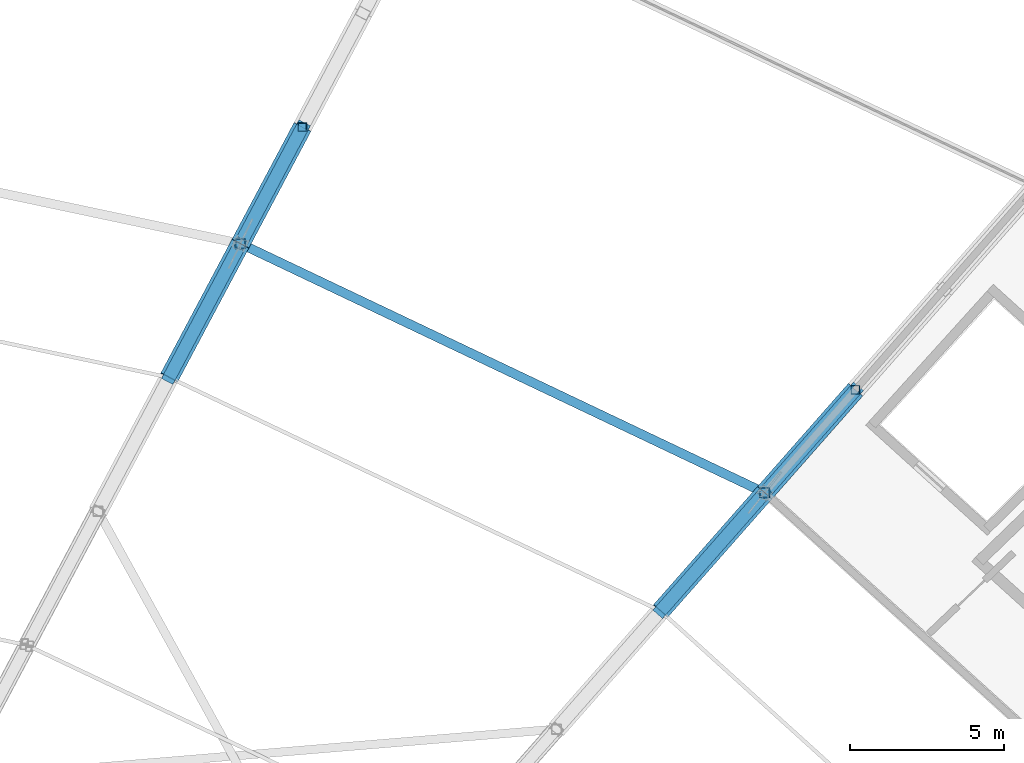
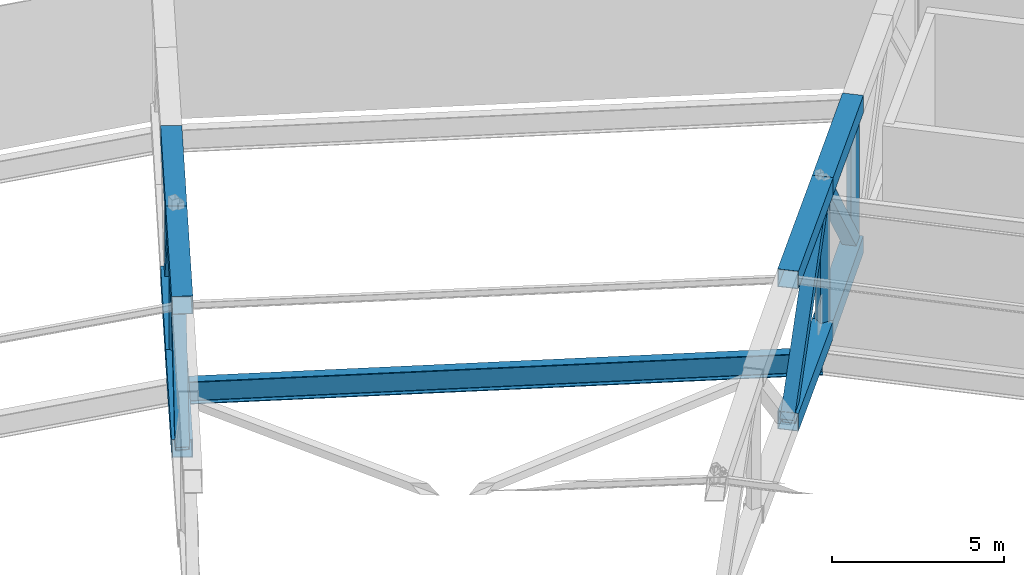
# One storey, part 87 of 162: 16 members, 1 beam.
"""IFC4 building model written with IfcOpenShell, lengths in metres."""

from ifc_helpers import new_model, si_unit, direction, frame, origin, origin_2d, place, context, subcontext, project, spatial, hollow_rectangle, i_section, extrude, material, material_profile, profile_set, type_object, element, save


model = new_model("IFC4")

# Units and contexts
model_context = context("Model", 3, precision=1e-05, world=origin(), true_north=direction((0.0, 1.0)))
body_context = subcontext(model_context, "Body", "Model", "MODEL_VIEW")
ifc_project = project(units=[si_unit("LENGTHUNIT", "METRE"), si_unit("AREAUNIT", "SQUARE_METRE"), si_unit("VOLUMEUNIT", "CUBIC_METRE"), si_unit("PLANEANGLEUNIT", "RADIAN"), si_unit("MASSUNIT", "GRAM", prefix="KILO")], contexts=[model_context])

# Site, building, storey
site_placement = place(None, origin())
site = spatial("IfcSite", under=ifc_project, at=site_placement, CompositionType="ELEMENT")
building_placement = place(site_placement, origin())
building = spatial("IfcBuilding", under=site, at=building_placement, Name="Kazemori Nagisa Stadium", CompositionType="ELEMENT")
storey_placement = place(building_placement, frame((0.0, 0.0, 36.719970703125)))
storey = spatial("IfcBuildingStorey", under=building, at=storey_placement, Name="RF", CompositionType="ELEMENT", Elevation=36.719970703125)

# Beam
ifc_material_1 = material(Name="Steel SN490B", Category="steel")
ifc_material_profile_1 = material_profile(ifc_material_1, i_section(OverallWidth=0.300048828125, OverallDepth=0.800048828125, WebThickness=0.013916015625, FlangeThickness=0.02587890625, FilletRadius=0.01806640625, at=origin_2d()), Name="H-800x300x14x26")
ifc_profile_set_1 = profile_set([ifc_material_profile_1], Name="Steel SN490B")
beam_type = type_object("IfcBeamType", Name="Beam_BG-H800", PredefinedType="BEAM", material=ifc_profile_set_1)
beam_placement = place(storey_placement, frame((176.834228515625, 163.11083984375, -0.679931640625), z_axis=(-0.90321938295, 0.42917915404, 0.0), x_axis=(-0.42917915404, -0.90321938295, 0.0)))
element("IfcBeam", 1, at=beam_placement, inside=storey, type_object=beam_type, Name="Ring girder BG-H800 RF R2-05", PredefinedType="BEAM", context=body_context, shape_type="SweptSolid", body=[
    extrude(i_section(OverallWidth=0.300048828125, OverallDepth=0.800048828125, WebThickness=0.013916015625, FlangeThickness=0.02587890625, FilletRadius=0.01806640625, at=origin_2d()), origin(), (0.0, 0.0, 1.0), 18.84619140625),
])

# Members
ifc_material_2 = material(Name="Steel STKR490", Category="steel")
ifc_material_profile_2 = material_profile(ifc_material_2, hollow_rectangle(XDim=0.419921875, YDim=0.419921875, WallThickness=0.01611328125, at=origin_2d()), Name="SHS-420x420x16")
ifc_profile_set_2 = profile_set([ifc_material_profile_2], Name="Steel STKR490")
member_type_1 = type_object("IfcMemberType", Name="Member_TB-SHS420", PredefinedType="BRACE", material=ifc_profile_set_2)
member_1_placement = place(storey_placement, frame((179.7763671875, 166.450439453125, 0.43994140625), z_axis=(-0.43367823745, -0.492264924909, 0.754717450485), x_axis=(0.750346686278, -0.661044514682, 0.0)))
element("IfcMember", 2, at=member_1_placement, inside=storey, type_object=member_type_1, Name="Roof space truss diagonal RT-05-3", PredefinedType="BRACE", context=body_context, shape_type="SweptSolid", body=[
    extrude(hollow_rectangle(XDim=0.419921875, YDim=0.419921875, WallThickness=0.01611328125, at=origin_2d()), origin(), (0.0, 0.0, 1.0), 6.7841796875),
])
member_2_placement = place(storey_placement, frame((176.834228515625, 163.11083984375, 5.56005859375), z_axis=(-0.479053182072, -0.54382189194, -0.689032509097), x_axis=(0.750378163683, -0.661008783201, 0.0)))
element("IfcMember", 3, at=member_2_placement, inside=storey, type_object=member_type_1, Name="Roof space truss diagonal RT-05-4", PredefinedType="BRACE", context=body_context, shape_type="SweptSolid", body=[
    extrude(hollow_rectangle(XDim=0.419921875, YDim=0.419921875, WallThickness=0.01611328125, at=origin_2d()), origin(), (0.0, 0.0, 1.0), 7.056396484375),
])
member_3_placement = place(storey_placement, frame((161.823974609375, 174.98095703125, 0.43994140625), z_axis=(-0.301385485298, -0.566492072233, 0.766976871457), x_axis=(0.882833673063, -0.469685752079, 0.0)))
element("IfcMember", 4, at=member_3_placement, inside=storey, type_object=member_type_1, Name="Roof space truss diagonal RT-06-3", PredefinedType="BRACE", context=body_context, shape_type="SweptSolid", body=[
    extrude(hollow_rectangle(XDim=0.419921875, YDim=0.419921875, WallThickness=0.01611328125, at=origin_2d()), origin(), (0.0, 0.0, 1.0), 6.67578125),
])
member_4_placement = place(storey_placement, frame((159.81201171875, 171.19921875, 5.56005859375), z_axis=(-0.334768872513, -0.629265063806, -0.701395239126), x_axis=(0.88284131776, -0.469671382624, 0.0)))
element("IfcMember", 5, at=member_4_placement, inside=storey, type_object=member_type_1, Name="Roof space truss diagonal RT-06-4", PredefinedType="BRACE", context=body_context, shape_type="SweptSolid", body=[
    extrude(hollow_rectangle(XDim=0.419921875, YDim=0.419921875, WallThickness=0.01611328125, at=origin_2d()), origin(), (0.0, 0.0, 1.0), 6.90478515625),
])
ifc_material_profile_3 = material_profile(ifc_material_2, hollow_rectangle(XDim=0.6201171875, YDim=0.6201171875, WallThickness=0.02197265625, at=origin_2d()), Name="SHS-620x620x22")
ifc_profile_set_3 = profile_set([ifc_material_profile_3], Name="Steel STKR490")
member_type_2 = type_object("IfcMemberType", Name="Member_TC-SHS620", PredefinedType="CHORD", material=ifc_profile_set_3)
member_5_placement = place(storey_placement, frame((179.7763671875, 166.450439453125, 5.419921875), z_axis=(-0.660717085813, -0.749975024217, 0.031470550764), x_axis=(0.750346686278, -0.661044514682, 0.0)))
element("IfcMember", 6, at=member_5_placement, inside=storey, type_object=member_type_2, Name="Roof space truss top chord RT-05-3", PredefinedType="CHORD", context=body_context, shape_type="SweptSolid", body=[
    extrude(hollow_rectangle(XDim=0.6201171875, YDim=0.6201171875, WallThickness=0.02197265625, at=origin_2d()), origin(), (0.0, 0.0, 1.0), 4.452880859375),
])
member_6_placement = place(storey_placement, frame((179.7763671875, 166.450439453125, 0.43994140625), z_axis=(-0.661017767546, -0.750316325804, 0.008995677859), x_axis=(0.750346686278, -0.661044514682, 0.0)))
element("IfcMember", 7, at=member_6_placement, inside=storey, type_object=member_type_2, Name="Roof space truss bottom chord RT-05-3", PredefinedType="CHORD", context=body_context, shape_type="SweptSolid", body=[
    extrude(hollow_rectangle(XDim=0.6201171875, YDim=0.6201171875, WallThickness=0.02197265625, at=origin_2d()), origin(), (0.0, 0.0, 1.0), 4.450927734375),
])
member_7_placement = place(storey_placement, frame((176.834228515625, 163.11083984375, 5.56005859375), z_axis=(-0.660586610197, -0.749898912255, 0.035734462736), x_axis=(0.750378163683, -0.661008783201, 0.0)))
element("IfcMember", 8, at=member_7_placement, inside=storey, type_object=member_type_2, Name="Roof space truss top chord RT-05-4", PredefinedType="CHORD", context=body_context, shape_type="SweptSolid", body=[
    extrude(hollow_rectangle(XDim=0.6201171875, YDim=0.6201171875, WallThickness=0.02197265625, at=origin_2d()), origin(), (0.0, 0.0, 1.0), 5.1171875),
])
member_8_placement = place(storey_placement, frame((176.834228515625, 163.11083984375, 0.47998046875), z_axis=(-0.660408916905, -0.749697194563, 0.04259317946), x_axis=(0.750378163683, -0.661008783201, 0.0)))
element("IfcMember", 9, at=member_8_placement, inside=storey, type_object=member_type_2, Name="Roof space truss bottom chord RT-05-4", PredefinedType="CHORD", context=body_context, shape_type="SweptSolid", body=[
    extrude(hollow_rectangle(XDim=0.6201171875, YDim=0.6201171875, WallThickness=0.02197265625, at=origin_2d()), origin(), (0.0, 0.0, 1.0), 5.11865234375),
])
member_9_placement = place(storey_placement, frame((161.823974609375, 174.98095703125, 5.419921875), z_axis=(-0.46943461682, -0.882361632634, 0.032696938485), x_axis=(0.882833673063, -0.469685752079, 0.0)))
element("IfcMember", 10, at=member_9_placement, inside=storey, type_object=member_type_2, Name="Roof space truss top chord RT-06-3", PredefinedType="CHORD", context=body_context, shape_type="SweptSolid", body=[
    extrude(hollow_rectangle(XDim=0.6201171875, YDim=0.6201171875, WallThickness=0.02197265625, at=origin_2d()), origin(), (0.0, 0.0, 1.0), 4.285888671875),
])
member_10_placement = place(storey_placement, frame((161.823974609375, 174.98095703125, 0.43994140625), z_axis=(-0.469665236132, -0.88279511075, 0.009346571863), x_axis=(0.882833673063, -0.469685752079, 0.0)))
element("IfcMember", 11, at=member_10_placement, inside=storey, type_object=member_type_2, Name="Roof space truss bottom chord RT-06-3", PredefinedType="CHORD", context=body_context, shape_type="SweptSolid", body=[
    extrude(hollow_rectangle(XDim=0.6201171875, YDim=0.6201171875, WallThickness=0.02197265625, at=origin_2d()), origin(), (0.0, 0.0, 1.0), 4.283935546875),
])
member_11_placement = place(storey_placement, frame((159.81201171875, 171.19921875, 5.56005859375), z_axis=(-0.469113979784, -0.88179356762, 0.048705010787), x_axis=(0.88284131776, -0.469671382624, 0.0)))
element("IfcMember", 12, at=member_11_placement, inside=storey, type_object=member_type_2, Name="Roof space truss top chord RT-06-4", PredefinedType="CHORD", context=body_context, shape_type="SweptSolid", body=[
    extrude(hollow_rectangle(XDim=0.6201171875, YDim=0.6201171875, WallThickness=0.02197265625, at=origin_2d()), origin(), (0.0, 0.0, 1.0), 4.927490234375),
])
member_12_placement = place(storey_placement, frame((159.81201171875, 171.19921875, 0.47998046875), z_axis=(-0.469127482253, -0.881818948211, 0.048111827764), x_axis=(0.88284131776, -0.469671382624, 0.0)))
element("IfcMember", 13, at=member_12_placement, inside=storey, type_object=member_type_2, Name="Roof space truss bottom chord RT-06-4", PredefinedType="CHORD", context=body_context, shape_type="SweptSolid", body=[
    extrude(hollow_rectangle(XDim=0.6201171875, YDim=0.6201171875, WallThickness=0.02197265625, at=origin_2d()), origin(), (0.0, 0.0, 1.0), 4.92724609375),
])
ifc_material_profile_4 = material_profile(ifc_material_2, hollow_rectangle(XDim=0.280029296875, YDim=0.280029296875, WallThickness=0.010009765625, at=origin_2d()), Name="SHS-280x280x10")
ifc_profile_set_4 = profile_set([ifc_material_profile_4], Name="Steel STKR490")
member_type_3 = type_object("IfcMemberType", Name="Member_TS-SHS280", PredefinedType="STRUT", material=ifc_profile_set_4)
for number, where, z_axis, x_axis, name in (
    (14, (179.7763671875, 166.450439453125, 0.43994140625), (0.0, 0.0, 1.0), (1.0, 0.0, 0.0), "Roof space truss strut RT-05-3"),
    (15, (161.823974609375, 174.98095703125, 0.43994140625), (0.0, 0.0, 1.0), (1.0, 0.0, 0.0), "Roof space truss strut RT-06-3"),
):
    element("IfcMember", number, at=place(storey_placement, frame(where, z_axis=z_axis, x_axis=x_axis)), inside=storey, type_object=member_type_3, Name=name, PredefinedType="STRUT", context=body_context, shape_type="SweptSolid", body=[
        extrude(hollow_rectangle(XDim=0.280029296875, YDim=0.280029296875, WallThickness=0.010009765625, at=origin_2d()), origin(), (0.0, 0.0, 1.0), 4.97998046875),
    ])
ifc_material_profile_5 = material_profile(ifc_material_2, hollow_rectangle(XDim=0.320068359375, YDim=0.320068359375, WallThickness=0.011962890625, at=origin_2d()), Name="SHS-320x320x12")
ifc_profile_set_5 = profile_set([ifc_material_profile_5], Name="Steel STKR490")
member_type_4 = type_object("IfcMemberType", Name="Member_TS-SHS320", PredefinedType="STRUT", material=ifc_profile_set_5)
for number, where, z_axis, x_axis, name in (
    (16, (176.834228515625, 163.11083984375, 0.47998046875), (0.0, 0.0, 1.0), (1.0, 0.0, 0.0), "Roof space truss strut RT-05-4"),
    (17, (159.81201171875, 171.19921875, 0.47998046875), (0.0, 0.0, 1.0), (1.0, 0.0, 0.0), "Roof space truss strut RT-06-4"),
):
    element("IfcMember", number, at=place(storey_placement, frame(where, z_axis=z_axis, x_axis=x_axis)), inside=storey, type_object=member_type_4, Name=name, PredefinedType="STRUT", context=body_context, shape_type="SweptSolid", body=[
        extrude(hollow_rectangle(XDim=0.320068359375, YDim=0.320068359375, WallThickness=0.011962890625, at=origin_2d()), origin(), (0.0, 0.0, 1.0), 5.080078125),
    ])

save(model, "model.ifc")
